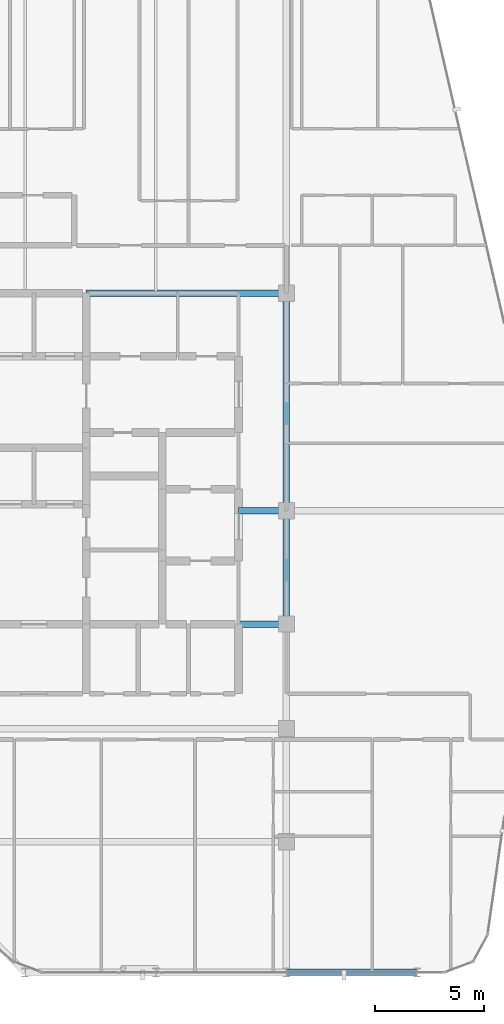
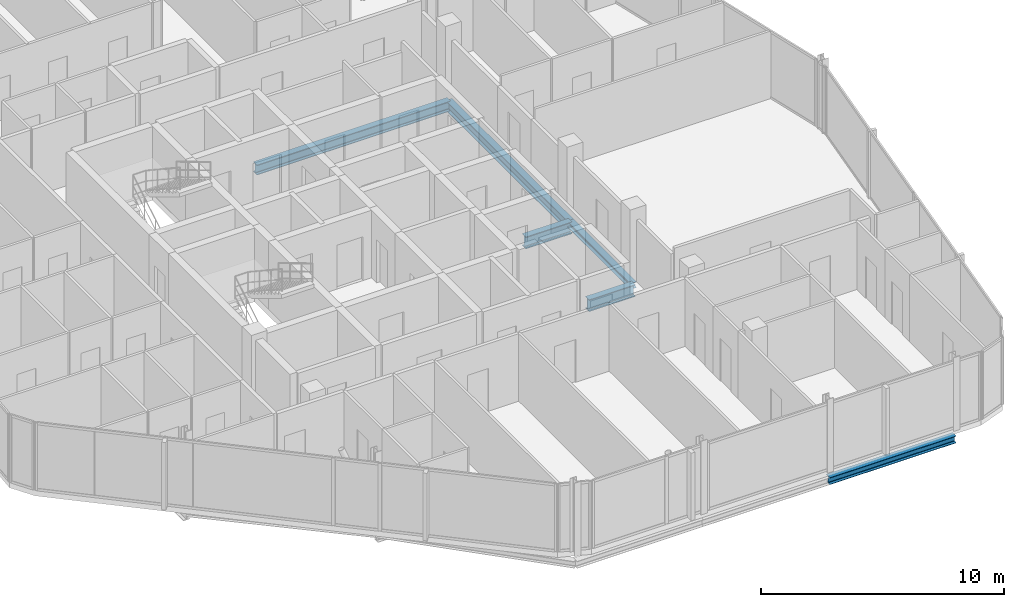
# One storey, part 11 of 27: 6 beams.
"""IFC4 building model written with IfcOpenShell, lengths in metres."""

from ifc_helpers import new_model, si_unit, direction, frame, origin, origin_2d, place, context, subcontext, project, spatial, i_section, extrude, material, material_profile, profile_set, type_object, element, save


model = new_model("IFC4")

# Units and contexts
model_context = context("Model", 3, precision=1e-05, world=origin(), true_north=direction((0.0, 1.0)))
body_context = subcontext(model_context, "Body", "Model", "MODEL_VIEW")
ifc_project = project(units=[si_unit("LENGTHUNIT", "METRE"), si_unit("AREAUNIT", "SQUARE_METRE"), si_unit("VOLUMEUNIT", "CUBIC_METRE"), si_unit("PLANEANGLEUNIT", "RADIAN"), si_unit("MASSUNIT", "GRAM", prefix="KILO")], contexts=[model_context])

# Site, building, storey
site_placement = place(None, origin())
site = spatial("IfcSite", under=ifc_project, at=site_placement, CompositionType="ELEMENT")
building_placement = place(site_placement, origin())
building = spatial("IfcBuilding", under=site, at=building_placement, Name="Keshet Zoharim Tower", CompositionType="ELEMENT")
storey_placement = place(building_placement, frame((0.0, 0.0, 273.199951171875)))
storey = spatial("IfcBuildingStorey", under=building, at=storey_placement, Name="L68", CompositionType="ELEMENT", Elevation=273.199951171875)

# Beams
ifc_material = material(Name="Steel S355", Category="steel")
ifc_material_profile_1 = material_profile(ifc_material, i_section(OverallWidth=0.300048828125, OverallDepth=0.60009765625, WebThickness=0.015380859375, FlangeThickness=0.030029296875, FilletRadius=0.027099609375, at=origin_2d()), Name="HEB600")
ifc_profile_set_1 = profile_set([ifc_material_profile_1], Name="Steel S355")
beam_type_1 = type_object("IfcBeamType", Name="BM-CLK-HB600", PredefinedType="BEAM", material=ifc_profile_set_1)
for number, where, z_axis, x_axis, name in (
    (1, (30.800048828125, 22.699951171875, -0.60986328125), (1.0, 0.0, 0.0), (0.0, 1.0, 0.0), "L68 Core Wall Link Girder 01"),
    (2, (30.800048828125, 27.89990234375, -0.60986328125), (1.0, 0.0, 0.0), (0.0, 1.0, 0.0), "L68 Core Wall Link Girder 02"),
):
    element("IfcBeam", number, at=place(storey_placement, frame(where, z_axis=z_axis, x_axis=x_axis)), inside=storey, type_object=beam_type_1, Name=name, PredefinedType="BEAM", context=body_context, shape_type="SweptSolid", body=[
        extrude(i_section(OverallWidth=0.300048828125, OverallDepth=0.60009765625, WebThickness=0.015380859375, FlangeThickness=0.030029296875, FilletRadius=0.027099609375, at=origin_2d()), origin(), (0.0, 0.0, 1.0), 2.199951171875),
    ])
ifc_material_profile_2 = material_profile(ifc_material, i_section(OverallWidth=0.300048828125, OverallDepth=0.5, WebThickness=0.014404296875, FlangeThickness=0.028076171875, FilletRadius=0.027099609375, at=origin_2d()), Name="HEB500")
ifc_profile_set_2 = profile_set([ifc_material_profile_2], Name="Steel S355")
beam_type_2 = type_object("IfcBeamType", Name="BM-MED-HB500", PredefinedType="BEAM", material=ifc_profile_set_2)
beam_1_placement = place(storey_placement, frame((23.800048828125, 37.89990234375, -0.56005859375), z_axis=(1.0, 0.0, 0.0), x_axis=(0.0, 1.0, 0.0)))
element("IfcBeam", 3, at=beam_1_placement, inside=storey, type_object=beam_type_2, Name="L68 Primary Girder X-009", PredefinedType="BEAM", context=body_context, shape_type="SweptSolid", body=[
    extrude(i_section(OverallWidth=0.300048828125, OverallDepth=0.5, WebThickness=0.014404296875, FlangeThickness=0.028076171875, FilletRadius=0.027099609375, at=origin_2d()), origin(), (0.0, 0.0, 1.0), 9.199951171875),
])
beam_2_placement = place(storey_placement, frame((33.0, 27.89990234375, -0.56005859375), z_axis=(0.0, 1.0, 0.0), x_axis=(-1.0, 0.0, 0.0)))
element("IfcBeam", 4, at=beam_2_placement, inside=storey, type_object=beam_type_2, Name="L68 Primary Girder Y-008", PredefinedType="BEAM", context=body_context, shape_type="SweptSolid", body=[
    extrude(i_section(OverallWidth=0.300048828125, OverallDepth=0.5, WebThickness=0.014404296875, FlangeThickness=0.028076171875, FilletRadius=0.027099609375, at=origin_2d()), origin(), (0.0, 0.0, 1.0), 10.0),
])
ifc_material_profile_3 = material_profile(ifc_material, i_section(OverallWidth=0.300048828125, OverallDepth=0.2900390625, WebThickness=0.008544921875, FlangeThickness=0.013916015625, FilletRadius=0.027099609375, at=origin_2d()), Name="HEA300")
ifc_profile_set_3 = profile_set([ifc_material_profile_3], Name="Steel S355")
beam_type_3 = type_object("IfcBeamType", Name="BM-PRI-HA300", PredefinedType="BEAM", material=ifc_profile_set_3)
beam_3_placement = place(storey_placement, frame((33.0, 22.699951171875, -0.454833984375), z_axis=(0.0, 1.0, 0.0), x_axis=(-1.0, 0.0, 0.0)))
element("IfcBeam", 5, at=beam_3_placement, inside=storey, type_object=beam_type_3, Name="L68 Primary Girder Y-007", PredefinedType="BEAM", context=body_context, shape_type="SweptSolid", body=[
    extrude(i_section(OverallWidth=0.300048828125, OverallDepth=0.2900390625, WebThickness=0.008544921875, FlangeThickness=0.013916015625, FilletRadius=0.027099609375, at=origin_2d()), origin(), (0.0, 0.0, 1.0), 5.199951171875),
])
ifc_material_profile_4 = material_profile(ifc_material, i_section(OverallWidth=0.300048828125, OverallDepth=0.35009765625, WebThickness=0.010009765625, FlangeThickness=0.017578125, FilletRadius=0.027099609375, at=origin_2d()), Name="HEA360")
ifc_profile_set_4 = profile_set([ifc_material_profile_4], Name="Steel S355")
beam_type_4 = type_object("IfcBeamType", Name="BM-PRI-HA360", PredefinedType="BEAM", material=ifc_profile_set_4)
beam_4_placement = place(storey_placement, frame((33.0, 6.699951171875, -0.48486328125), z_axis=(1.0, 0.0, 0.0), x_axis=(0.0, 1.0, 0.0)))
element("IfcBeam", 6, at=beam_4_placement, inside=storey, type_object=beam_type_4, Name="L68 Primary Girder X-003", PredefinedType="BEAM", context=body_context, shape_type="SweptSolid", body=[
    extrude(i_section(OverallWidth=0.300048828125, OverallDepth=0.35009765625, WebThickness=0.010009765625, FlangeThickness=0.017578125, FilletRadius=0.027099609375, at=origin_2d()), origin(), (0.0, 0.0, 1.0), 6.0),
])

save(model, "model.ifc")
